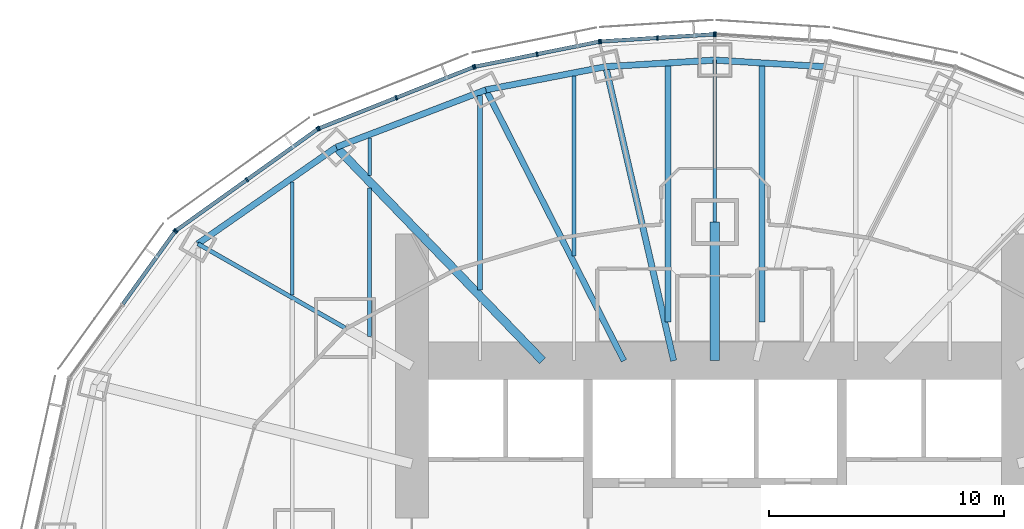
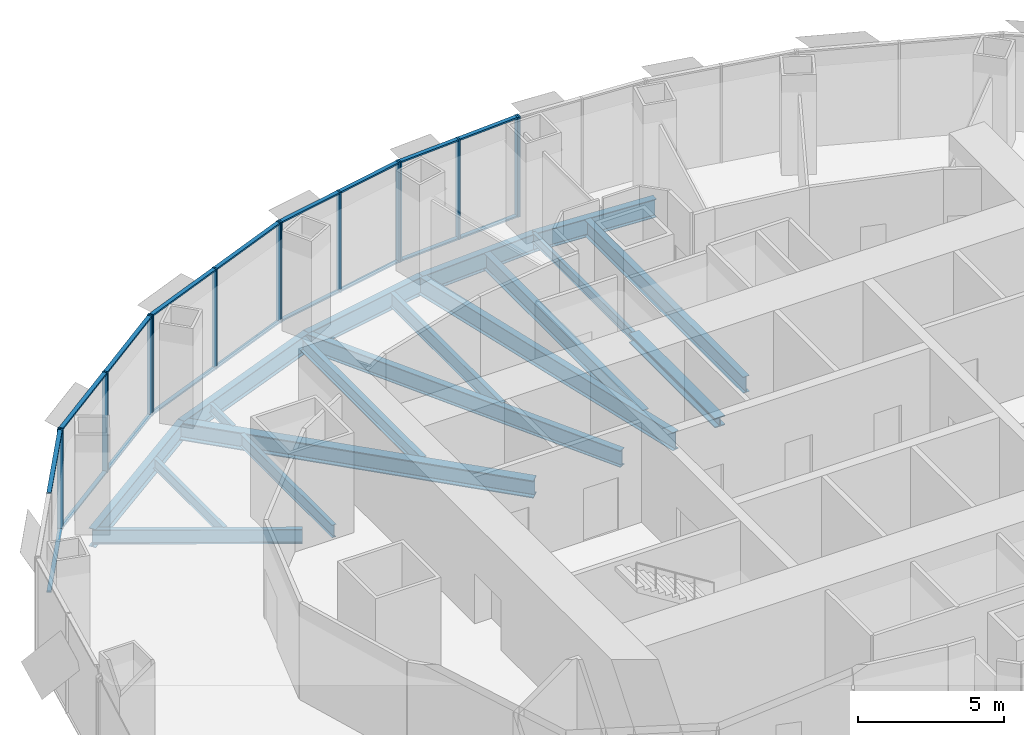
# One storey, part 7 of 18: 32 members, 18 beams, 6 elements without a shape of their own.
"""IFC4 building model written with IfcOpenShell, lengths in metres."""

from ifc_helpers import new_model, si_unit, direction, frame, origin, origin_2d, place, context, subcontext, project, spatial, rectangle, i_section, extrude, material, material_profile, profile_set, type_object, element, aggregate, save


model = new_model("IFC4")

# Units and contexts
model_context = context("Model", 3, precision=1e-05, world=origin(), true_north=direction((0.0, 1.0)))
body_context = subcontext(model_context, "Body", "Model", "MODEL_VIEW")
ifc_project = project(units=[si_unit("LENGTHUNIT", "METRE"), si_unit("AREAUNIT", "SQUARE_METRE"), si_unit("VOLUMEUNIT", "CUBIC_METRE"), si_unit("PLANEANGLEUNIT", "RADIAN"), si_unit("MASSUNIT", "GRAM", prefix="KILO")], contexts=[model_context])

# Site, building, storey
site_placement = place(None, origin())
site = spatial("IfcSite", under=ifc_project, at=site_placement, CompositionType="ELEMENT")
building_placement = place(site_placement, origin())
building = spatial("IfcBuilding", under=site, at=building_placement, Name="Lantaw Convention Tower", CompositionType="ELEMENT")
storey_placement = place(building_placement, frame((0.0, 0.0, 180.39990234375)))
storey = spatial("IfcBuildingStorey", under=building, at=storey_placement, Name="L42", CompositionType="ELEMENT", Elevation=180.39990234375)

# Beams
ifc_material_1 = material(Name="Steel ASTM A992", Category="steel")
ifc_material_profile_1 = material_profile(ifc_material_1, i_section(OverallWidth=0.2666015625, OverallDepth=0.76953125, WebThickness=0.015625, FlangeThickness=0.025390625, FilletRadius=0.0126953125, at=origin_2d()), Name="W30X132")
ifc_profile_set_1 = profile_set([ifc_material_profile_1], Name="Steel ASTM A992")
beam_type_1 = type_object("IfcBeamType", Name="Beam E W30X132", PredefinedType="SPANDREL", material=ifc_profile_set_1)
for number, where, z_axis, x_axis, name in (
    (1, (4.64501953125, 20.1201171875, -0.53466796875), (-0.998190892054, 0.06012439621, 0.0), (-0.06012439621, -0.998190892054, 0.0), "Edge beam 6"),
    (2, (0.0, 20.39990234375, -0.53466796875), (-0.998190892054, -0.06012439621, 0.0), (0.06012439621, -0.998190892054, 0.0), "Edge beam 7"),
):
    element("IfcBeam", number, at=place(storey_placement, frame(where, z_axis=z_axis, x_axis=x_axis)), inside=storey, type_object=beam_type_1, Name=name, PredefinedType="SPANDREL", context=body_context, shape_type="SweptSolid", body=[
        extrude(i_section(OverallWidth=0.2666015625, OverallDepth=0.76953125, WebThickness=0.015625, FlangeThickness=0.025390625, FilletRadius=0.0126953125, at=origin_2d()), origin(), (0.0, 0.0, 1.0), 4.6533203125),
    ])
beam_1_placement = place(storey_placement, frame((-4.64501953125, 20.1201171875, -0.53466796875), z_axis=(-0.981796805654, -0.189934284446, 0.0), x_axis=(0.189934284446, -0.981796805654, 0.0)))
element("IfcBeam", 3, at=beam_1_placement, inside=storey, type_object=beam_type_1, Name="Edge beam 8", PredefinedType="SPANDREL", context=body_context, shape_type="SweptSolid", body=[
    extrude(i_section(OverallWidth=0.2666015625, OverallDepth=0.76953125, WebThickness=0.015625, FlangeThickness=0.025390625, FilletRadius=0.0126953125, at=origin_2d()), origin(), (0.0, 0.0, 1.0), 5.1982421875),
])
beam_2_placement = place(storey_placement, frame((-9.74853515625, 19.1328125, -0.53466796875), z_axis=(-0.933691081977, -0.358079549033, 0.0), x_axis=(0.358079549033, -0.933691081977, 0.0)))
element("IfcBeam", 4, at=beam_2_placement, inside=storey, type_object=beam_type_1, Name="Edge beam 9", PredefinedType="SPANDREL", context=body_context, shape_type="SweptSolid", body=[
    extrude(i_section(OverallWidth=0.2666015625, OverallDepth=0.76953125, WebThickness=0.015625, FlangeThickness=0.025390625, FilletRadius=0.0126953125, at=origin_2d()), origin(), (0.0, 0.0, 1.0), 6.821533203125),
])
beam_3_placement = place(storey_placement, frame((-16.11767578125, 16.690185546875, -0.53466796875), z_axis=(-0.820310765287, -0.57191804339, 0.0), x_axis=(0.57191804339, -0.820310765287, 0.0)))
element("IfcBeam", 5, at=beam_3_placement, inside=storey, type_object=beam_type_1, Name="Edge beam 10", PredefinedType="SPANDREL", context=body_context, shape_type="SweptSolid", body=[
    extrude(i_section(OverallWidth=0.2666015625, OverallDepth=0.76953125, WebThickness=0.015625, FlangeThickness=0.025390625, FilletRadius=0.0126953125, at=origin_2d()), origin(), (0.0, 0.0, 1.0), 7.187744140625),
])
ifc_material_profile_2 = material_profile(ifc_material_1, i_section(OverallWidth=0.140380859375, OverallDepth=0.40380859375, WebThickness=0.007080078125, FlangeThickness=0.01123046875, FilletRadius=0.01025390625, at=origin_2d()), Name="W16X31")
ifc_profile_set_2 = profile_set([ifc_material_profile_2], Name="Steel ASTM A992")
beam_type_2 = type_object("IfcBeamType", Name="Beam G W16X31", PredefinedType="BEAM", material=ifc_profile_set_2)
beam_4_placement = place(storey_placement, frame((0.0, 13.5, -0.351806640625), z_axis=(0.0, 1.0, 0.0), x_axis=(-1.0, 0.0, 0.0)))
element("IfcBeam", 6, at=beam_4_placement, inside=storey, type_object=beam_type_2, Name="Floor girder on ray 7", PredefinedType="BEAM", context=body_context, shape_type="SweptSolid", body=[
    extrude(i_section(OverallWidth=0.140380859375, OverallDepth=0.40380859375, WebThickness=0.007080078125, FlangeThickness=0.01123046875, FilletRadius=0.01025390625, at=origin_2d()), origin(), (0.0, 0.0, 1.0), 6.89990234375),
])
ifc_material_profile_3 = material_profile(ifc_material_1, i_section(OverallWidth=0.177978515625, OverallDepth=0.599365234375, WebThickness=0.010009765625, FlangeThickness=0.012939453125, FilletRadius=0.012939453125, at=origin_2d()), Name="W24X55")
ifc_profile_set_3 = profile_set([ifc_material_profile_3], Name="Steel ASTM A992")
beam_type_3 = type_object("IfcBeamType", Name="Beam G W24X55", PredefinedType="BEAM", material=ifc_profile_set_3)
beam_5_placement = place(storey_placement, frame((-15.75, 9.0, -0.44970703125), z_axis=(-0.868245224608, 0.496135293993, 0.0), x_axis=(-0.496135293993, -0.868245224608, 0.0)))
element("IfcBeam", 7, at=beam_5_placement, inside=storey, type_object=beam_type_3, Name="Floor girder on ray 11", PredefinedType="BEAM", context=body_context, shape_type="SweptSolid", body=[
    extrude(i_section(OverallWidth=0.177978515625, OverallDepth=0.599365234375, WebThickness=0.010009765625, FlangeThickness=0.012939453125, FilletRadius=0.012939453125, at=origin_2d()), origin(), (0.0, 0.0, 1.0), 7.21435546875),
])
ifc_material_profile_4 = material_profile(ifc_material_1, i_section(OverallWidth=0.25390625, OverallDepth=0.700927734375, WebThickness=0.015380859375, FlangeThickness=0.02783203125, FilletRadius=0.01513671875, at=origin_2d()), Name="W27X129")
ifc_profile_set_4 = profile_set([ifc_material_profile_4], Name="Steel ASTM A992")
beam_type_4 = type_object("IfcBeamType", Name="Beam G W27X129", PredefinedType="BEAM", material=ifc_profile_set_4)
beam_6_placement = place(storey_placement, frame((-3.872314453125, 7.60009765625, -0.50048828125), z_axis=(-0.453991051051, 0.891006243281, 0.0), x_axis=(-0.891006243281, -0.453991051051, 0.0)))
element("IfcBeam", 8, at=beam_6_placement, inside=storey, type_object=beam_type_4, Name="Floor girder on ray 9", PredefinedType="BEAM", context=body_context, shape_type="SweptSolid", body=[
    extrude(i_section(OverallWidth=0.25390625, OverallDepth=0.700927734375, WebThickness=0.015380859375, FlangeThickness=0.02783203125, FilletRadius=0.01513671875, at=origin_2d()), origin(), (0.0, 0.0, 1.0), 12.943359375),
])
ifc_material_profile_5 = material_profile(ifc_material_1, i_section(OverallWidth=0.360595703125, OverallDepth=0.72900390625, WebThickness=0.023193359375, FlangeThickness=0.041015625, FilletRadius=0.0126953125, at=origin_2d()), Name="W27X235")
ifc_profile_set_5 = profile_set([ifc_material_profile_5], Name="Steel ASTM A992")
beam_type_5 = type_object("IfcBeamType", Name="Beam G W27X235", PredefinedType="BEAM", material=ifc_profile_set_5)
beam_7_placement = place(storey_placement, frame((-7.33935546875, 7.60009765625, -0.514404296875), z_axis=(-0.694663467407, 0.719334878239, 0.0), x_axis=(-0.719334878239, -0.694663467407, 0.0)))
element("IfcBeam", 9, at=beam_7_placement, inside=storey, type_object=beam_type_5, Name="Floor girder on ray 10", PredefinedType="BEAM", context=body_context, shape_type="SweptSolid", body=[
    extrude(i_section(OverallWidth=0.360595703125, OverallDepth=0.72900390625, WebThickness=0.023193359375, FlangeThickness=0.041015625, FilletRadius=0.0126953125, at=origin_2d()), origin(), (0.0, 0.0, 1.0), 12.63671875),
])
ifc_material_profile_6 = material_profile(ifc_material_1, i_section(OverallWidth=0.2666015625, OverallDepth=0.7568359375, WebThickness=0.013916015625, FlangeThickness=0.019287109375, FilletRadius=0.0126953125, at=origin_2d()), Name="W30X108")
ifc_profile_set_6 = profile_set([ifc_material_profile_6], Name="Steel ASTM A992")
beam_type_6 = type_object("IfcBeamType", Name="Beam G W30X108", PredefinedType="BEAM", material=ifc_profile_set_6)
beam_8_placement = place(storey_placement, frame((-1.754638671875, 7.60009765625, -0.5283203125), z_axis=(-0.224944153104, 0.974371658036, 0.0), x_axis=(-0.974371658036, -0.224944153104, 0.0)))
element("IfcBeam", 10, at=beam_8_placement, inside=storey, type_object=beam_type_6, Name="Floor girder on ray 8", PredefinedType="BEAM", context=body_context, shape_type="SweptSolid", body=[
    extrude(i_section(OverallWidth=0.2666015625, OverallDepth=0.7568359375, WebThickness=0.013916015625, FlangeThickness=0.019287109375, FilletRadius=0.0126953125, at=origin_2d()), origin(), (0.0, 0.0, 1.0), 12.849365234375),
])
ifc_material_profile_7 = material_profile(ifc_material_1, i_section(OverallWidth=0.40380859375, OverallDepth=0.406494140625, WebThickness=0.027099609375, FlangeThickness=0.043701171875, FilletRadius=0.01513671875, at=origin_2d()), Name="W14X233")
ifc_profile_set_7 = profile_set([ifc_material_profile_7], Name="Steel ASTM A992")
beam_type_7 = type_object("IfcBeamType", Name="Beam GM W14X233", PredefinedType="BEAM", material=ifc_profile_set_7)
beam_9_placement = place(storey_placement, frame((0.0, 7.60009765625, -0.35302734375), z_axis=(0.0, 1.0, 0.0), x_axis=(-1.0, 0.0, 0.0)))
element("IfcBeam", 11, at=beam_9_placement, inside=storey, type_object=beam_type_7, Name="Core link beam on ray 7", PredefinedType="BEAM", context=body_context, shape_type="SweptSolid", body=[
    extrude(i_section(OverallWidth=0.40380859375, OverallDepth=0.406494140625, WebThickness=0.027099609375, FlangeThickness=0.043701171875, FilletRadius=0.01513671875, at=origin_2d()), origin(), (0.0, 0.0, 1.0), 5.89990234375),
])
ifc_material_profile_8 = material_profile(ifc_material_1, i_section(OverallWidth=0.140380859375, OverallDepth=0.40380859375, WebThickness=0.007080078125, FlangeThickness=0.01123046875, FilletRadius=0.01025390625, at=origin_2d()), Name="W16X31")
ifc_profile_set_8 = profile_set([ifc_material_profile_8], Name="Steel ASTM A992")
beam_type_8 = type_object("IfcBeamType", Name="Beam J W16X31", PredefinedType="JOIST", material=ifc_profile_set_8)
beam_10_placement = place(storey_placement, frame((-14.699951171875, 15.48193359375, -0.351806640625), z_axis=(0.0, 1.0, 0.0), x_axis=(-1.0, 0.0, 0.0)))
element("IfcBeam", 12, at=beam_10_placement, inside=storey, type_object=beam_type_8, Name="Floor joist", PredefinedType="JOIST", context=body_context, shape_type="SweptSolid", body=[
    extrude(i_section(OverallWidth=0.140380859375, OverallDepth=0.40380859375, WebThickness=0.007080078125, FlangeThickness=0.01123046875, FilletRadius=0.01025390625, at=origin_2d()), origin(), (0.0, 0.0, 1.0), 1.609130859375),
])
ifc_material_profile_9 = material_profile(ifc_material_1, i_section(OverallWidth=0.15234375, OverallDepth=0.449462890625, WebThickness=0.007568359375, FlangeThickness=0.0107421875, FilletRadius=0.01025390625, at=origin_2d()), Name="W18X35")
ifc_profile_set_9 = profile_set([ifc_material_profile_9], Name="Steel ASTM A992")
beam_type_9 = type_object("IfcBeamType", Name="Beam J W18X35", PredefinedType="JOIST", material=ifc_profile_set_9)
beam_11_placement = place(storey_placement, frame((-18.0, 10.38818359375, -0.374755859375), z_axis=(0.0, 1.0, 0.0), x_axis=(-1.0, 0.0, 0.0)))
element("IfcBeam", 13, at=beam_11_placement, inside=storey, type_object=beam_type_9, Name="Floor joist", PredefinedType="JOIST", context=body_context, shape_type="SweptSolid", body=[
    extrude(i_section(OverallWidth=0.15234375, OverallDepth=0.449462890625, WebThickness=0.007568359375, FlangeThickness=0.0107421875, FilletRadius=0.01025390625, at=origin_2d()), origin(), (0.0, 0.0, 1.0), 4.8271484375),
])
ifc_material_profile_10 = material_profile(ifc_material_1, i_section(OverallWidth=0.1650390625, OverallDepth=0.52587890625, WebThickness=0.0087890625, FlangeThickness=0.011474609375, FilletRadius=0.0126953125, at=origin_2d()), Name="W21X44")
ifc_profile_set_10 = profile_set([ifc_material_profile_10], Name="Steel ASTM A992")
beam_type_10 = type_object("IfcBeamType", Name="Beam J W21X44", PredefinedType="JOIST", material=ifc_profile_set_10)
beam_12_placement = place(storey_placement, frame((-14.699951171875, 8.632568359375, -0.412841796875), z_axis=(0.0, 1.0, 0.0), x_axis=(-1.0, 0.0, 0.0)))
element("IfcBeam", 14, at=beam_12_placement, inside=storey, type_object=beam_type_10, Name="Floor joist", PredefinedType="JOIST", context=body_context, shape_type="SweptSolid", body=[
    extrude(i_section(OverallWidth=0.1650390625, OverallDepth=0.52587890625, WebThickness=0.0087890625, FlangeThickness=0.011474609375, FilletRadius=0.0126953125, at=origin_2d()), origin(), (0.0, 0.0, 1.0), 6.330078125),
])
ifc_material_profile_11 = material_profile(ifc_material_1, i_section(OverallWidth=0.2099609375, OverallDepth=0.535888671875, WebThickness=0.010986328125, FlangeThickness=0.017333984375, FilletRadius=0.012939453125, at=origin_2d()), Name="W21X68")
ifc_profile_set_11 = profile_set([ifc_material_profile_11], Name="Steel ASTM A992")
beam_type_11 = type_object("IfcBeamType", Name="Beam J W21X68", PredefinedType="JOIST", material=ifc_profile_set_11)
beam_13_placement = place(storey_placement, frame((-10.0, 10.614990234375, -0.41796875), z_axis=(0.0, 1.0, 0.0), x_axis=(-1.0, 0.0, 0.0)))
element("IfcBeam", 15, at=beam_13_placement, inside=storey, type_object=beam_type_11, Name="Floor joist", PredefinedType="JOIST", context=body_context, shape_type="SweptSolid", body=[
    extrude(i_section(OverallWidth=0.2099609375, OverallDepth=0.535888671875, WebThickness=0.010986328125, FlangeThickness=0.017333984375, FilletRadius=0.012939453125, at=origin_2d()), origin(), (0.0, 0.0, 1.0), 8.278564453125),
])
ifc_material_profile_12 = material_profile(ifc_material_1, i_section(OverallWidth=0.177978515625, OverallDepth=0.599365234375, WebThickness=0.010009765625, FlangeThickness=0.012939453125, FilletRadius=0.012939453125, at=origin_2d()), Name="W24X55")
ifc_profile_set_12 = profile_set([ifc_material_profile_12], Name="Steel ASTM A992")
beam_type_12 = type_object("IfcBeamType", Name="Beam J W24X55", PredefinedType="JOIST", material=ifc_profile_set_12)
beam_14_placement = place(storey_placement, frame((-6.0, 12.055419921875, -0.44970703125), z_axis=(0.0, 1.0, 0.0), x_axis=(-1.0, 0.0, 0.0)))
element("IfcBeam", 16, at=beam_14_placement, inside=storey, type_object=beam_type_12, Name="Floor joist", PredefinedType="JOIST", context=body_context, shape_type="SweptSolid", body=[
    extrude(i_section(OverallWidth=0.177978515625, OverallDepth=0.599365234375, WebThickness=0.010009765625, FlangeThickness=0.012939453125, FilletRadius=0.012939453125, at=origin_2d()), origin(), (0.0, 0.0, 1.0), 7.666748046875),
])
ifc_material_profile_13 = material_profile(ifc_material_1, i_section(OverallWidth=0.25390625, OverallDepth=0.683349609375, WebThickness=0.012451171875, FlangeThickness=0.01904296875, FilletRadius=0.01513671875, at=origin_2d()), Name="W27X94")
ifc_profile_set_13 = profile_set([ifc_material_profile_13], Name="Steel ASTM A992")
beam_type_13 = type_object("IfcBeamType", Name="Beam J W27X94", PredefinedType="JOIST", material=ifc_profile_set_13)
for number, where, z_axis, x_axis, name in (
    (17, (-2.0, 9.255859375, -0.491455078125), (0.0, 1.0, 0.0), (-1.0, 0.0, 0.0), "Floor joist"),
    (18, (2.0, 9.255859375, -0.491455078125), (0.0, 1.0, 0.0), (-1.0, 0.0, 0.0), "Floor joist"),
):
    element("IfcBeam", number, at=place(storey_placement, frame(where, z_axis=z_axis, x_axis=x_axis)), inside=storey, type_object=beam_type_13, Name=name, PredefinedType="JOIST", context=body_context, shape_type="SweptSolid", body=[
        extrude(i_section(OverallWidth=0.25390625, OverallDepth=0.683349609375, WebThickness=0.012451171875, FlangeThickness=0.01904296875, FilletRadius=0.01513671875, at=origin_2d()), origin(), (0.0, 0.0, 1.0), 10.889892578125),
    ])

# Curtain wall, member
ifc_material_2 = material(Name="Aluminium framed curtain wall", Category="aluminium")
curtain_wall_type = type_object("IfcCurtainWallType", Name="Office curtain wall low rise, pale aluminium", PredefinedType="USERDEFINED", material=ifc_material_2)
curtain_wall_1_placement = place(storey_placement, origin())
curtain_wall_1 = element("IfcCurtainWall", 19, at=curtain_wall_1_placement, inside=storey, type_object=curtain_wall_type, Name="Office curtain wall low rise, pale aluminium L42", ObjectType="UNITISED CURTAIN WALL", PredefinedType="USERDEFINED")
ifc_material_3 = material(Name="Aluminium 6063-T6", Category="aluminium")
ifc_material_profile_14 = material_profile(ifc_material_3, rectangle(XDim=0.199951171875, YDim=0.06494140625, at=origin_2d()), Name="CW-O1 mullion 65x200")
ifc_profile_set_14 = profile_set([ifc_material_profile_14], Name="Aluminium 6063-T6")
member_type_1 = type_object("IfcMemberType", Name="CW-O1 mullion 65x200", PredefinedType="MULLION", material=ifc_profile_set_14)
member_1_placement = place(storey_placement, frame((0.032470703125, 21.498046875, -0.14990234375), z_axis=(0.0, 0.0, 1.0), x_axis=(-0.062865059466, -0.998022035978, 0.0)))
member_1 = element("IfcMember", 20, at=member_1_placement, type_object=member_type_1, Name="CW-O1 mullion 3", PredefinedType="MULLION", context=body_context, shape_type="SweptSolid", body=[
    extrude(rectangle(XDim=0.199951171875, YDim=0.06494140625, at=origin_2d()), origin(), (0.0, 0.0, 1.0), 4.199951171875),
])
aggregate(curtain_wall_1, [member_1])

# Curtain wall, members
curtain_wall_2_placement = place(storey_placement, origin())
curtain_wall_2 = element("IfcCurtainWall", 21, at=curtain_wall_2_placement, inside=storey, type_object=curtain_wall_type, Name="Office curtain wall low rise, pale aluminium L42", ObjectType="UNITISED CURTAIN WALL", PredefinedType="USERDEFINED")
member_2_placement = place(storey_placement, frame((-0.032470703125, 21.498046875, -0.14990234375), z_axis=(0.0, 0.0, 1.0), x_axis=(0.062865059466, -0.998022035978, 0.0)))
member_2 = element("IfcMember", 22, at=member_2_placement, type_object=member_type_1, Name="CW-O1 mullion 1", PredefinedType="MULLION", context=body_context, shape_type="SweptSolid", body=[
    extrude(rectangle(XDim=0.199951171875, YDim=0.06494140625, at=origin_2d()), origin(), (0.0, 0.0, 1.0), 4.199951171875),
])
member_3_placement = place(storey_placement, frame((-2.4462890625, 21.345947265625, -0.14990234375), z_axis=(0.0, 0.0, 1.0), x_axis=(0.062865059466, -0.998022035978, 0.0)))
member_3 = element("IfcMember", 23, at=member_3_placement, type_object=member_type_1, Name="CW-O1 mullion 2", PredefinedType="MULLION", context=body_context, shape_type="SweptSolid", body=[
    extrude(rectangle(XDim=0.199951171875, YDim=0.06494140625, at=origin_2d()), origin(), (0.0, 0.0, 1.0), 4.199951171875),
])
member_4_placement = place(storey_placement, frame((-4.860107421875, 21.19384765625, -0.14990234375), z_axis=(0.0, 0.0, 1.0), x_axis=(0.062865059466, -0.998022035978, 0.0)))
member_4 = element("IfcMember", 24, at=member_4_placement, type_object=member_type_1, Name="CW-O1 mullion 3", PredefinedType="MULLION", context=body_context, shape_type="SweptSolid", body=[
    extrude(rectangle(XDim=0.199951171875, YDim=0.06494140625, at=origin_2d()), origin(), (0.0, 0.0, 1.0), 4.199951171875),
])

curtain_wall_3_placement = place(storey_placement, origin())
curtain_wall_3 = element("IfcCurtainWall", 25, at=curtain_wall_3_placement, inside=storey, type_object=curtain_wall_type, Name="Office curtain wall low rise, pale aluminium L42", ObjectType="UNITISED CURTAIN WALL", PredefinedType="USERDEFINED")
member_5_placement = place(storey_placement, frame((-4.92431640625, 21.185302734375, -0.14990234375), z_axis=(0.0, 0.0, 1.0), x_axis=(0.197506809659, -0.980301514912, 0.0)))
member_5 = element("IfcMember", 26, at=member_5_placement, type_object=member_type_1, Name="CW-O1 mullion 1", PredefinedType="MULLION", context=body_context, shape_type="SweptSolid", body=[
    extrude(rectangle(XDim=0.199951171875, YDim=0.06494140625, at=origin_2d()), origin(), (0.0, 0.0, 1.0), 4.199951171875),
])
member_6_placement = place(storey_placement, frame((-7.5703125, 20.65234375, -0.14990234375), z_axis=(0.0, 0.0, 1.0), x_axis=(0.197506809659, -0.980301514912, 0.0)))
member_6 = element("IfcMember", 27, at=member_6_placement, type_object=member_type_1, Name="CW-O1 mullion 2", PredefinedType="MULLION", context=body_context, shape_type="SweptSolid", body=[
    extrude(rectangle(XDim=0.199951171875, YDim=0.06494140625, at=origin_2d()), origin(), (0.0, 0.0, 1.0), 4.199951171875),
])
member_7_placement = place(storey_placement, frame((-10.216064453125, 20.119140625, -0.14990234375), z_axis=(0.0, 0.0, 1.0), x_axis=(0.197506809659, -0.980301514912, 0.0)))
member_7 = element("IfcMember", 28, at=member_7_placement, type_object=member_type_1, Name="CW-O1 mullion 3", PredefinedType="MULLION", context=body_context, shape_type="SweptSolid", body=[
    extrude(rectangle(XDim=0.199951171875, YDim=0.06494140625, at=origin_2d()), origin(), (0.0, 0.0, 1.0), 4.199951171875),
])

curtain_wall_4_placement = place(storey_placement, origin())
curtain_wall_4 = element("IfcCurtainWall", 29, at=curtain_wall_4_placement, inside=storey, type_object=curtain_wall_type, Name="Office curtain wall low rise, pale aluminium L42", ObjectType="UNITISED CURTAIN WALL", PredefinedType="USERDEFINED")
member_8_placement = place(storey_placement, frame((-10.2783203125, 20.100830078125, -0.14990234375), z_axis=(0.0, 0.0, 1.0), x_axis=(0.368701907483, -0.929547687544, 0.0)))
member_8 = element("IfcMember", 30, at=member_8_placement, type_object=member_type_1, Name="CW-O1 mullion 1", PredefinedType="MULLION", context=body_context, shape_type="SweptSolid", body=[
    extrude(rectangle(XDim=0.199951171875, YDim=0.06494140625, at=origin_2d()), origin(), (0.0, 0.0, 1.0), 4.199951171875),
])
member_9_placement = place(storey_placement, frame((-13.56494140625, 18.797119140625, -0.14990234375), z_axis=(0.0, 0.0, 1.0), x_axis=(0.368701907483, -0.929547687544, 0.0)))
member_9 = element("IfcMember", 31, at=member_9_placement, type_object=member_type_1, Name="CW-O1 mullion 2", PredefinedType="MULLION", context=body_context, shape_type="SweptSolid", body=[
    extrude(rectangle(XDim=0.199951171875, YDim=0.06494140625, at=origin_2d()), origin(), (0.0, 0.0, 1.0), 4.199951171875),
])
member_10_placement = place(storey_placement, frame((-16.8515625, 17.49365234375, -0.14990234375), z_axis=(0.0, 0.0, 1.0), x_axis=(0.368701907483, -0.929547687544, 0.0)))
member_10 = element("IfcMember", 32, at=member_10_placement, type_object=member_type_1, Name="CW-O1 mullion 3", PredefinedType="MULLION", context=body_context, shape_type="SweptSolid", body=[
    extrude(rectangle(XDim=0.199951171875, YDim=0.06494140625, at=origin_2d()), origin(), (0.0, 0.0, 1.0), 4.199951171875),
])

curtain_wall_5_placement = place(storey_placement, origin())
curtain_wall_5 = element("IfcCurtainWall", 33, at=curtain_wall_5_placement, inside=storey, type_object=curtain_wall_type, Name="Office curtain wall low rise, pale aluminium L42", ObjectType="UNITISED CURTAIN WALL", PredefinedType="USERDEFINED")
member_11_placement = place(storey_placement, frame((-16.908203125, 17.462646484375, -0.14990234375), z_axis=(0.0, 0.0, 1.0), x_axis=(0.581972695693, -0.813208325995, 0.0)))
member_11 = element("IfcMember", 34, at=member_11_placement, type_object=member_type_1, Name="CW-O1 mullion 1", PredefinedType="MULLION", context=body_context, shape_type="SweptSolid", body=[
    extrude(rectangle(XDim=0.199951171875, YDim=0.06494140625, at=origin_2d()), origin(), (0.0, 0.0, 1.0), 4.199951171875),
])
member_12_placement = place(storey_placement, frame((-19.92529296875, 15.303466796875, -0.14990234375), z_axis=(0.0, 0.0, 1.0), x_axis=(0.581972695693, -0.813208325995, 0.0)))
member_12 = element("IfcMember", 35, at=member_12_placement, type_object=member_type_1, Name="CW-O1 mullion 2", PredefinedType="MULLION", context=body_context, shape_type="SweptSolid", body=[
    extrude(rectangle(XDim=0.199951171875, YDim=0.06494140625, at=origin_2d()), origin(), (0.0, 0.0, 1.0), 4.199951171875),
])
member_13_placement = place(storey_placement, frame((-22.942626953125, 13.14404296875, -0.14990234375), z_axis=(0.0, 0.0, 1.0), x_axis=(0.581972695693, -0.813208325995, 0.0)))
member_13 = element("IfcMember", 36, at=member_13_placement, type_object=member_type_1, Name="CW-O1 mullion 3", PredefinedType="MULLION", context=body_context, shape_type="SweptSolid", body=[
    extrude(rectangle(XDim=0.199951171875, YDim=0.06494140625, at=origin_2d()), origin(), (0.0, 0.0, 1.0), 4.199951171875),
])

# Curtain wall, member
curtain_wall_6_placement = place(storey_placement, origin())
curtain_wall_6 = element("IfcCurtainWall", 37, at=curtain_wall_6_placement, inside=storey, type_object=curtain_wall_type, Name="Office curtain wall low rise, pale aluminium L42", ObjectType="UNITISED CURTAIN WALL", PredefinedType="USERDEFINED")
member_14_placement = place(storey_placement, frame((-22.988037109375, 13.098876953125, -0.14990234375), z_axis=(0.0, 0.0, 1.0), x_axis=(0.811384633629, -0.584512597221, 0.0)))
member_14 = element("IfcMember", 38, at=member_14_placement, type_object=member_type_1, Name="CW-O1 mullion 1", PredefinedType="MULLION", context=body_context, shape_type="SweptSolid", body=[
    extrude(rectangle(XDim=0.199951171875, YDim=0.06494140625, at=origin_2d()), origin(), (0.0, 0.0, 1.0), 4.199951171875),
])

# Member
ifc_material_profile_15 = material_profile(ifc_material_3, rectangle(XDim=0.159912109375, YDim=0.06494140625, at=origin_2d()), Name="CW-O1 transom 65x160")
ifc_profile_set_15 = profile_set([ifc_material_profile_15], Name="Aluminium 6063-T6")
member_type_2 = type_object("IfcMemberType", Name="CW-O1 transom 65x160", PredefinedType="USERDEFINED", material=ifc_profile_set_15)
member_15_placement = place(storey_placement, frame((-0.06494140625, 21.495849609375, -0.117431640625), z_axis=(-0.998022188463, -0.062862638625, 0.0), x_axis=(0.062862638625, -0.998022188463, 0.0)))
member_15 = element("IfcMember", 39, at=member_15_placement, type_object=member_type_2, Name="CW-O1 transom 1.1", ObjectType="TRANSOM", PredefinedType="USERDEFINED", context=body_context, shape_type="SweptSolid", body=[
    extrude(rectangle(XDim=0.159912109375, YDim=0.06494140625, at=origin_2d()), origin(), (0.0, 0.0, 1.0), 2.353515625),
])

member_16_placement = place(storey_placement, frame((-0.06494140625, 21.495849609375, 4.017578125), z_axis=(-0.998022188463, -0.062862638625, 0.0), x_axis=(0.062862638625, -0.998022188463, 0.0)))
member_16 = element("IfcMember", 40, at=member_16_placement, type_object=member_type_2, Name="CW-O1 transom 1.2", ObjectType="TRANSOM", PredefinedType="USERDEFINED", context=body_context, shape_type="SweptSolid", body=[
    extrude(rectangle(XDim=0.159912109375, YDim=0.06494140625, at=origin_2d()), origin(), (0.0, 0.0, 1.0), 2.353515625),
])

member_17_placement = place(storey_placement, frame((-2.478759765625, 21.34375, -0.117431640625), z_axis=(-0.998022188463, -0.062862638625, 0.0), x_axis=(0.062862638625, -0.998022188463, 0.0)))
member_17 = element("IfcMember", 41, at=member_17_placement, type_object=member_type_2, Name="CW-O1 transom 2.1", ObjectType="TRANSOM", PredefinedType="USERDEFINED", context=body_context, shape_type="SweptSolid", body=[
    extrude(rectangle(XDim=0.159912109375, YDim=0.06494140625, at=origin_2d()), origin(), (0.0, 0.0, 1.0), 2.353515625),
])

member_18_placement = place(storey_placement, frame((-2.478759765625, 21.34375, 4.017578125), z_axis=(-0.998022188463, -0.062862638625, 0.0), x_axis=(0.062862638625, -0.998022188463, 0.0)))
member_18 = element("IfcMember", 42, at=member_18_placement, type_object=member_type_2, Name="CW-O1 transom 2.2", ObjectType="TRANSOM", PredefinedType="USERDEFINED", context=body_context, shape_type="SweptSolid", body=[
    extrude(rectangle(XDim=0.159912109375, YDim=0.06494140625, at=origin_2d()), origin(), (0.0, 0.0, 1.0), 2.353515625),
])

aggregate(curtain_wall_2, [member_2, member_3, member_4, member_15, member_16, member_17, member_18])

member_19_placement = place(storey_placement, frame((-4.956298828125, 21.178955078125, -0.117431640625), z_axis=(-0.980298027092, -0.197524120247, 0.0), x_axis=(0.197524120247, -0.980298027092, 0.0)))
member_19 = element("IfcMember", 43, at=member_19_placement, type_object=member_type_2, Name="CW-O1 transom 1.1", ObjectType="TRANSOM", PredefinedType="USERDEFINED", context=body_context, shape_type="SweptSolid", body=[
    extrude(rectangle(XDim=0.159912109375, YDim=0.06494140625, at=origin_2d()), origin(), (0.0, 0.0, 1.0), 2.634033203125),
])

member_20_placement = place(storey_placement, frame((-4.956298828125, 21.178955078125, 4.017578125), z_axis=(-0.980298027092, -0.197524120247, 0.0), x_axis=(0.197524120247, -0.980298027092, 0.0)))
member_20 = element("IfcMember", 44, at=member_20_placement, type_object=member_type_2, Name="CW-O1 transom 1.2", ObjectType="TRANSOM", PredefinedType="USERDEFINED", context=body_context, shape_type="SweptSolid", body=[
    extrude(rectangle(XDim=0.159912109375, YDim=0.06494140625, at=origin_2d()), origin(), (0.0, 0.0, 1.0), 2.634033203125),
])

member_21_placement = place(storey_placement, frame((-7.60205078125, 20.64599609375, -0.117431640625), z_axis=(-0.980301643003, -0.197506173891, 0.0), x_axis=(0.197506173891, -0.980301643003, 0.0)))
member_21 = element("IfcMember", 45, at=member_21_placement, type_object=member_type_2, Name="CW-O1 transom 2.1", ObjectType="TRANSOM", PredefinedType="USERDEFINED", context=body_context, shape_type="SweptSolid", body=[
    extrude(rectangle(XDim=0.159912109375, YDim=0.06494140625, at=origin_2d()), origin(), (0.0, 0.0, 1.0), 2.63427734375),
])

member_22_placement = place(storey_placement, frame((-7.60205078125, 20.64599609375, 4.017578125), z_axis=(-0.980301643003, -0.197506173891, 0.0), x_axis=(0.197506173891, -0.980301643003, 0.0)))
member_22 = element("IfcMember", 46, at=member_22_placement, type_object=member_type_2, Name="CW-O1 transom 2.2", ObjectType="TRANSOM", PredefinedType="USERDEFINED", context=body_context, shape_type="SweptSolid", body=[
    extrude(rectangle(XDim=0.159912109375, YDim=0.06494140625, at=origin_2d()), origin(), (0.0, 0.0, 1.0), 2.63427734375),
])

aggregate(curtain_wall_3, [member_5, member_6, member_7, member_19, member_20, member_21, member_22])

member_23_placement = place(storey_placement, frame((-10.308349609375, 20.0888671875, -0.117431640625), z_axis=(-0.929540081544, -0.368721082668, 0.0), x_axis=(0.368721082668, -0.929540081544, 0.0)))
member_23 = element("IfcMember", 47, at=member_23_placement, type_object=member_type_2, Name="CW-O1 transom 1.1", ObjectType="TRANSOM", PredefinedType="USERDEFINED", context=body_context, shape_type="SweptSolid", body=[
    extrude(rectangle(XDim=0.159912109375, YDim=0.06494140625, at=origin_2d()), origin(), (0.0, 0.0, 1.0), 3.470947265625),
])

member_24_placement = place(storey_placement, frame((-10.308349609375, 20.0888671875, 4.017578125), z_axis=(-0.929540081544, -0.368721082668, 0.0), x_axis=(0.368721082668, -0.929540081544, 0.0)))
member_24 = element("IfcMember", 48, at=member_24_placement, type_object=member_type_2, Name="CW-O1 transom 1.2", ObjectType="TRANSOM", PredefinedType="USERDEFINED", context=body_context, shape_type="SweptSolid", body=[
    extrude(rectangle(XDim=0.159912109375, YDim=0.06494140625, at=origin_2d()), origin(), (0.0, 0.0, 1.0), 3.470947265625),
])

member_25_placement = place(storey_placement, frame((-13.594970703125, 18.78515625, -0.117431640625), z_axis=(-0.929564188507, -0.368660303592, 0.0), x_axis=(0.368660303592, -0.929564188507, 0.0)))
member_25 = element("IfcMember", 49, at=member_25_placement, type_object=member_type_2, Name="CW-O1 transom 2.1", ObjectType="TRANSOM", PredefinedType="USERDEFINED", context=body_context, shape_type="SweptSolid", body=[
    extrude(rectangle(XDim=0.159912109375, YDim=0.06494140625, at=origin_2d()), origin(), (0.0, 0.0, 1.0), 3.470703125),
])

member_26_placement = place(storey_placement, frame((-13.594970703125, 18.78515625, 4.017578125), z_axis=(-0.929564188507, -0.368660303592, 0.0), x_axis=(0.368660303592, -0.929564188507, 0.0)))
member_26 = element("IfcMember", 50, at=member_26_placement, type_object=member_type_2, Name="CW-O1 transom 2.2", ObjectType="TRANSOM", PredefinedType="USERDEFINED", context=body_context, shape_type="SweptSolid", body=[
    extrude(rectangle(XDim=0.159912109375, YDim=0.06494140625, at=origin_2d()), origin(), (0.0, 0.0, 1.0), 3.470703125),
])

aggregate(curtain_wall_4, [member_8, member_9, member_10, member_23, member_24, member_25, member_26])

member_27_placement = place(storey_placement, frame((-16.9345703125, 17.44384765625, -0.117431640625), z_axis=(-0.813190089133, -0.581998177777, 0.0), x_axis=(0.581998177777, -0.813190089133, 0.0)))
member_27 = element("IfcMember", 51, at=member_27_placement, type_object=member_type_2, Name="CW-O1 transom 1.1", ObjectType="TRANSOM", PredefinedType="USERDEFINED", context=body_context, shape_type="SweptSolid", body=[
    extrude(rectangle(XDim=0.159912109375, YDim=0.06494140625, at=origin_2d()), origin(), (0.0, 0.0, 1.0), 3.645263671875),
])

member_28_placement = place(storey_placement, frame((-16.9345703125, 17.44384765625, 4.017578125), z_axis=(-0.813190089133, -0.581998177777, 0.0), x_axis=(0.581998177777, -0.813190089133, 0.0)))
member_28 = element("IfcMember", 52, at=member_28_placement, type_object=member_type_2, Name="CW-O1 transom 1.2", ObjectType="TRANSOM", PredefinedType="USERDEFINED", context=body_context, shape_type="SweptSolid", body=[
    extrude(rectangle(XDim=0.159912109375, YDim=0.06494140625, at=origin_2d()), origin(), (0.0, 0.0, 1.0), 3.645263671875),
])

member_29_placement = place(storey_placement, frame((-19.951904296875, 15.284423828125, -0.117431640625), z_axis=(-0.813221785972, -0.581953887194, 0.0), x_axis=(0.581953887194, -0.813221785972, 0.0)))
member_29 = element("IfcMember", 53, at=member_29_placement, type_object=member_type_2, Name="CW-O1 transom 2.1", ObjectType="TRANSOM", PredefinedType="USERDEFINED", context=body_context, shape_type="SweptSolid", body=[
    extrude(rectangle(XDim=0.159912109375, YDim=0.06494140625, at=origin_2d()), origin(), (0.0, 0.0, 1.0), 3.645263671875),
])

member_30_placement = place(storey_placement, frame((-19.951904296875, 15.284423828125, 4.017578125), z_axis=(-0.813221785972, -0.581953887194, 0.0), x_axis=(0.581953887194, -0.813221785972, 0.0)))
member_30 = element("IfcMember", 54, at=member_30_placement, type_object=member_type_2, Name="CW-O1 transom 2.2", ObjectType="TRANSOM", PredefinedType="USERDEFINED", context=body_context, shape_type="SweptSolid", body=[
    extrude(rectangle(XDim=0.159912109375, YDim=0.06494140625, at=origin_2d()), origin(), (0.0, 0.0, 1.0), 3.645263671875),
])

aggregate(curtain_wall_5, [member_11, member_12, member_13, member_27, member_28, member_29, member_30])

member_31_placement = place(storey_placement, frame((-23.007080078125, 13.072509765625, -0.117431640625), z_axis=(-0.584512973979, -0.811384362217, 0.0), x_axis=(0.811384362217, -0.584512973979, 0.0)))
member_31 = element("IfcMember", 55, at=member_31_placement, type_object=member_type_2, Name="CW-O1 transom 1.1", ObjectType="TRANSOM", PredefinedType="USERDEFINED", context=body_context, shape_type="SweptSolid", body=[
    extrude(rectangle(XDim=0.159912109375, YDim=0.06494140625, at=origin_2d()), origin(), (0.0, 0.0, 1.0), 3.767578125),
])

member_32_placement = place(storey_placement, frame((-23.007080078125, 13.072509765625, 4.017578125), z_axis=(-0.584512973979, -0.811384362217, 0.0), x_axis=(0.811384362217, -0.584512973979, 0.0)))
member_32 = element("IfcMember", 56, at=member_32_placement, type_object=member_type_2, Name="CW-O1 transom 1.2", ObjectType="TRANSOM", PredefinedType="USERDEFINED", context=body_context, shape_type="SweptSolid", body=[
    extrude(rectangle(XDim=0.159912109375, YDim=0.06494140625, at=origin_2d()), origin(), (0.0, 0.0, 1.0), 3.767578125),
])

aggregate(curtain_wall_6, [member_14, member_31, member_32])

save(model, "model.ifc")
